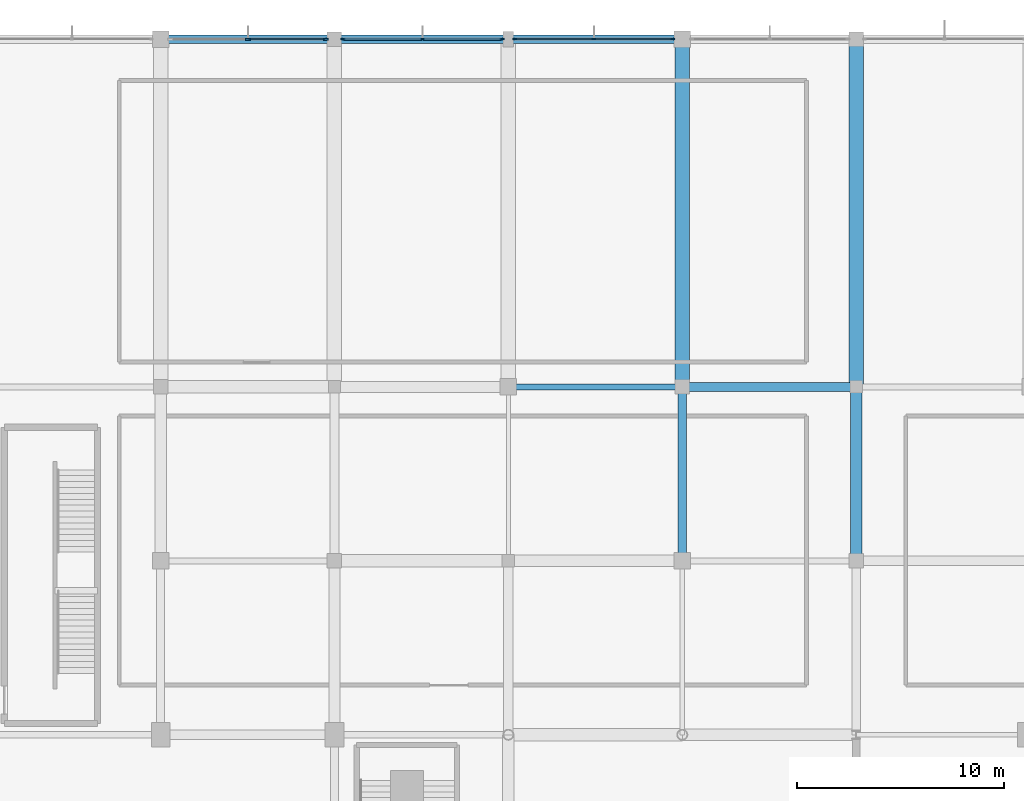
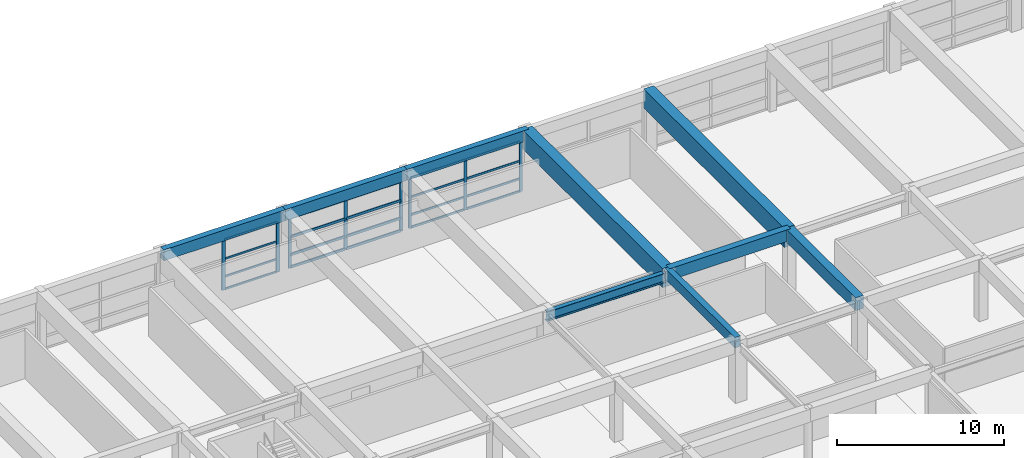
# One storey, part 31 of 65: 28 members, 9 beams, 3 elements without a shape of their own.
"""IFC4 building model written with IfcOpenShell, lengths in metres."""

from ifc_helpers import new_model, si_unit, direction, frame, origin, origin_2d, place, context, subcontext, project, spatial, rectangle, i_section, extrude, material, material_profile, profile_set, type_object, element, aggregate, save


model = new_model("IFC4")

# Units and contexts
model_context = context("Model", 3, precision=1e-05, world=origin(), true_north=direction((0.0, 1.0)))
body_context = subcontext(model_context, "Body", "Model", "MODEL_VIEW")
ifc_project = project(units=[si_unit("LENGTHUNIT", "METRE"), si_unit("AREAUNIT", "SQUARE_METRE"), si_unit("VOLUMEUNIT", "CUBIC_METRE"), si_unit("PLANEANGLEUNIT", "RADIAN"), si_unit("MASSUNIT", "GRAM", prefix="KILO")], contexts=[model_context])

# Site, building, storey
site_placement = place(None, origin())
site = spatial("IfcSite", under=ifc_project, at=site_placement, CompositionType="ELEMENT")
building_placement = place(site_placement, origin())
building = spatial("IfcBuilding", under=site, at=building_placement, Name="Xuanlan Plaza Opera House", CompositionType="ELEMENT")
storey_placement = place(building_placement, frame((0.0, 0.0, 5.39990234375)))
storey = spatial("IfcBuildingStorey", under=building, at=storey_placement, Name="L01", CompositionType="ELEMENT", Elevation=5.39990234375)

# Curtain wall, members
ifc_material_1 = material(Name="Anodised Aluminium 6063-T6 and Low-E Glass", Category="aluminium")
curtain_wall_type_1 = type_object("IfcCurtainWallType", Name="ENV-CW-CW-06", PredefinedType="USERDEFINED", material=ifc_material_1)
curtain_wall_1_placement = place(storey_placement, origin())
curtain_wall_1 = element("IfcCurtainWall", 1, at=curtain_wall_1_placement, inside=storey, type_object=curtain_wall_type_1, Name="Acoustic Glazed Wall L01-035", ObjectType="ACOUSTIC GLAZED WALL", PredefinedType="USERDEFINED")
ifc_material_2 = material(Name="Anodised Aluminium 6063-T6", Category="aluminium")
ifc_material_profile_1 = material_profile(ifc_material_2, rectangle(XDim=0.074951171875, YDim=0.199951171875, at=origin_2d()), Name="ALU-M 75x200")
ifc_profile_set_1 = profile_set([ifc_material_profile_1], Name="Anodised Aluminium 6063-T6")
member_type_1 = type_object("IfcMemberType", Name="ENV-CWM-03", PredefinedType="MULLION", material=ifc_profile_set_1)
member_1_placement = place(storey_placement, frame((117.142578125, 117.60009765625, 0.0), z_axis=(0.0, 0.0, 1.0), x_axis=(0.0, -1.0, 0.0)))
member_1 = element("IfcMember", 2, at=member_1_placement, type_object=member_type_1, Name="CW-06 mullion 1", PredefinedType="MULLION", context=body_context, shape_type="SweptSolid", body=[
    extrude(rectangle(XDim=0.074951171875, YDim=0.199951171875, at=origin_2d()), origin(), (0.0, 0.0, 1.0), 3.68017578125),
])
member_2_placement = place(storey_placement, frame((113.324951171875, 117.60009765625, 0.0), z_axis=(0.0, 0.0, 1.0), x_axis=(0.0, -1.0, 0.0)))
member_2 = element("IfcMember", 3, at=member_2_placement, type_object=member_type_1, Name="CW-06 mullion 2", PredefinedType="MULLION", context=body_context, shape_type="SweptSolid", body=[
    extrude(rectangle(XDim=0.074951171875, YDim=0.199951171875, at=origin_2d()), origin(), (0.0, 0.0, 1.0), 3.68017578125),
])
member_3_placement = place(storey_placement, frame((109.507568359375, 117.60009765625, 0.0), z_axis=(0.0, 0.0, 1.0), x_axis=(0.0, -1.0, 0.0)))
member_3 = element("IfcMember", 4, at=member_3_placement, type_object=member_type_1, Name="CW-06 mullion 3", PredefinedType="MULLION", context=body_context, shape_type="SweptSolid", body=[
    extrude(rectangle(XDim=0.074951171875, YDim=0.199951171875, at=origin_2d()), origin(), (0.0, 0.0, 1.0), 3.68017578125),
])

curtain_wall_type_2 = type_object("IfcCurtainWallType", Name="ENV-CW-CW-05", PredefinedType="USERDEFINED", material=ifc_material_1)
curtain_wall_2_placement = place(storey_placement, origin())
curtain_wall_2 = element("IfcCurtainWall", 5, at=curtain_wall_2_placement, inside=storey, type_object=curtain_wall_type_2, Name="Acoustic Glazed Wall L01-036", ObjectType="ACOUSTIC GLAZED WALL", PredefinedType="USERDEFINED")
ifc_material_profile_2 = material_profile(ifc_material_2, rectangle(XDim=0.080078125, YDim=0.219970703125, at=origin_2d()), Name="ALU-M 80x220")
ifc_profile_set_2 = profile_set([ifc_material_profile_2], Name="Anodised Aluminium 6063-T6")
member_type_2 = type_object("IfcMemberType", Name="ENV-CWM-04", PredefinedType="MULLION", material=ifc_profile_set_2)
member_4_placement = place(storey_placement, frame((108.889892578125, 117.60009765625, 0.0), z_axis=(0.0, 0.0, 1.0), x_axis=(0.0, -1.0, 0.0)))
member_4 = element("IfcMember", 6, at=member_4_placement, type_object=member_type_2, Name="CW-05 mullion 1", PredefinedType="MULLION", context=body_context, shape_type="SweptSolid", body=[
    extrude(rectangle(XDim=0.080078125, YDim=0.219970703125, at=origin_2d()), origin(), (0.0, 0.0, 1.0), 3.68017578125),
])
member_5_placement = place(storey_placement, frame((105.050048828125, 117.60009765625, 0.0), z_axis=(0.0, 0.0, 1.0), x_axis=(0.0, -1.0, 0.0)))
member_5 = element("IfcMember", 7, at=member_5_placement, type_object=member_type_2, Name="CW-05 mullion 2", PredefinedType="MULLION", context=body_context, shape_type="SweptSolid", body=[
    extrude(rectangle(XDim=0.080078125, YDim=0.219970703125, at=origin_2d()), origin(), (0.0, 0.0, 1.0), 3.68017578125),
])
member_6_placement = place(storey_placement, frame((101.2099609375, 117.60009765625, 0.0), z_axis=(0.0, 0.0, 1.0), x_axis=(0.0, -1.0, 0.0)))
member_6 = element("IfcMember", 8, at=member_6_placement, type_object=member_type_2, Name="CW-05 mullion 3", PredefinedType="MULLION", context=body_context, shape_type="SweptSolid", body=[
    extrude(rectangle(XDim=0.080078125, YDim=0.219970703125, at=origin_2d()), origin(), (0.0, 0.0, 1.0), 3.68017578125),
])

curtain_wall_3_placement = place(storey_placement, origin())
curtain_wall_3 = element("IfcCurtainWall", 9, at=curtain_wall_3_placement, inside=storey, type_object=curtain_wall_type_1, Name="Acoustic Glazed Wall L01-037", ObjectType="ACOUSTIC GLAZED WALL", PredefinedType="USERDEFINED")
ifc_material_profile_3 = material_profile(ifc_material_2, rectangle(XDim=0.090087890625, YDim=0.25, at=origin_2d()), Name="ALU-M 90x250")
ifc_profile_set_3 = profile_set([ifc_material_profile_3], Name="Anodised Aluminium 6063-T6")
member_type_3 = type_object("IfcMemberType", Name="ENV-CWM-05", PredefinedType="MULLION", material=ifc_profile_set_3)
member_7_placement = place(storey_placement, frame((100.385009765625, 117.60009765625, 0.0), z_axis=(0.0, 0.0, 1.0), x_axis=(0.0, -1.0, 0.0)))
member_7 = element("IfcMember", 10, at=member_7_placement, type_object=member_type_3, Name="CW-06 mullion 1", PredefinedType="MULLION", context=body_context, shape_type="SweptSolid", body=[
    extrude(rectangle(XDim=0.090087890625, YDim=0.25, at=origin_2d()), origin(), (0.0, 0.0, 1.0), 3.68017578125),
])
member_8_placement = place(storey_placement, frame((96.625, 117.60009765625, 0.0), z_axis=(0.0, 0.0, 1.0), x_axis=(0.0, -1.0, 0.0)))
member_8 = element("IfcMember", 11, at=member_8_placement, type_object=member_type_3, Name="CW-06 mullion 2", PredefinedType="MULLION", context=body_context, shape_type="SweptSolid", body=[
    extrude(rectangle(XDim=0.090087890625, YDim=0.25, at=origin_2d()), origin(), (0.0, 0.0, 1.0), 3.68017578125),
])
ifc_material_profile_4 = material_profile(ifc_material_2, rectangle(XDim=0.070068359375, YDim=0.135009765625, at=origin_2d()), Name="ALU-T 70x135")
ifc_profile_set_4 = profile_set([ifc_material_profile_4], Name="Anodised Aluminium 6063-T6")
member_type_4 = type_object("IfcMemberType", Name="ENV-CWT-02", PredefinedType="USERDEFINED", material=ifc_profile_set_4)
member_9_placement = place(storey_placement, frame((100.340087890625, 117.60009765625, 0.03515625), z_axis=(-1.0, 0.0, 0.0), x_axis=(0.0, -1.0, 0.0)))
member_9 = element("IfcMember", 12, at=member_9_placement, type_object=member_type_4, Name="CW-06 transom 1.1", ObjectType="TRANSOM", PredefinedType="USERDEFINED", context=body_context, shape_type="SweptSolid", body=[
    extrude(rectangle(XDim=0.070068359375, YDim=0.135009765625, at=origin_2d()), origin(), (0.0, 0.0, 1.0), 3.670166015625),
])
member_10_placement = place(storey_placement, frame((100.340087890625, 117.60009765625, 0.9501953125), z_axis=(-1.0, 0.0, 0.0), x_axis=(0.0, -1.0, 0.0)))
member_10 = element("IfcMember", 13, at=member_10_placement, type_object=member_type_4, Name="CW-06 transom 1.2", ObjectType="TRANSOM", PredefinedType="USERDEFINED", context=body_context, shape_type="SweptSolid", body=[
    extrude(rectangle(XDim=0.070068359375, YDim=0.135009765625, at=origin_2d()), origin(), (0.0, 0.0, 1.0), 3.670166015625),
])
member_11_placement = place(storey_placement, frame((100.340087890625, 117.60009765625, 2.25), z_axis=(-1.0, 0.0, 0.0), x_axis=(0.0, -1.0, 0.0)))
member_11 = element("IfcMember", 14, at=member_11_placement, type_object=member_type_4, Name="CW-06 transom 1.3", ObjectType="TRANSOM", PredefinedType="USERDEFINED", context=body_context, shape_type="SweptSolid", body=[
    extrude(rectangle(XDim=0.070068359375, YDim=0.135009765625, at=origin_2d()), origin(), (0.0, 0.0, 1.0), 3.670166015625),
])
member_12_placement = place(storey_placement, frame((100.340087890625, 117.60009765625, 3.64501953125), z_axis=(-1.0, 0.0, 0.0), x_axis=(0.0, -1.0, 0.0)))
member_12 = element("IfcMember", 15, at=member_12_placement, type_object=member_type_4, Name="CW-06 transom 1.4", ObjectType="TRANSOM", PredefinedType="USERDEFINED", context=body_context, shape_type="SweptSolid", body=[
    extrude(rectangle(XDim=0.070068359375, YDim=0.135009765625, at=origin_2d()), origin(), (0.0, 0.0, 1.0), 3.670166015625),
])
aggregate(curtain_wall_3, [member_7, member_8, member_9, member_10, member_11, member_12])

# Member
ifc_material_profile_5 = material_profile(ifc_material_2, rectangle(XDim=0.074951171875, YDim=0.14990234375, at=origin_2d()), Name="ALU-T 75x150")
ifc_profile_set_5 = profile_set([ifc_material_profile_5], Name="Anodised Aluminium 6063-T6")
member_type_5 = type_object("IfcMemberType", Name="ENV-CWT-03", PredefinedType="USERDEFINED", material=ifc_profile_set_5)
member_13_placement = place(storey_placement, frame((117.10498046875, 117.60009765625, 0.03759765625), z_axis=(-1.0, 0.0, 0.0), x_axis=(0.0, -1.0, 0.0)))
member_13 = element("IfcMember", 16, at=member_13_placement, type_object=member_type_5, Name="CW-06 transom 1.1", ObjectType="TRANSOM", PredefinedType="USERDEFINED", context=body_context, shape_type="SweptSolid", body=[
    extrude(rectangle(XDim=0.074951171875, YDim=0.14990234375, at=origin_2d()), origin(), (0.0, 0.0, 1.0), 3.742431640625),
])

member_14_placement = place(storey_placement, frame((117.10498046875, 117.60009765625, 0.9501953125), z_axis=(-1.0, 0.0, 0.0), x_axis=(0.0, -1.0, 0.0)))
member_14 = element("IfcMember", 17, at=member_14_placement, type_object=member_type_5, Name="CW-06 transom 1.2", ObjectType="TRANSOM", PredefinedType="USERDEFINED", context=body_context, shape_type="SweptSolid", body=[
    extrude(rectangle(XDim=0.074951171875, YDim=0.14990234375, at=origin_2d()), origin(), (0.0, 0.0, 1.0), 3.742431640625),
])

member_15_placement = place(storey_placement, frame((117.10498046875, 117.60009765625, 2.25), z_axis=(-1.0, 0.0, 0.0), x_axis=(0.0, -1.0, 0.0)))
member_15 = element("IfcMember", 18, at=member_15_placement, type_object=member_type_5, Name="CW-06 transom 1.3", ObjectType="TRANSOM", PredefinedType="USERDEFINED", context=body_context, shape_type="SweptSolid", body=[
    extrude(rectangle(XDim=0.074951171875, YDim=0.14990234375, at=origin_2d()), origin(), (0.0, 0.0, 1.0), 3.742431640625),
])

member_16_placement = place(storey_placement, frame((117.10498046875, 117.60009765625, 3.642578125), z_axis=(-1.0, 0.0, 0.0), x_axis=(0.0, -1.0, 0.0)))
member_16 = element("IfcMember", 19, at=member_16_placement, type_object=member_type_5, Name="CW-06 transom 1.4", ObjectType="TRANSOM", PredefinedType="USERDEFINED", context=body_context, shape_type="SweptSolid", body=[
    extrude(rectangle(XDim=0.074951171875, YDim=0.14990234375, at=origin_2d()), origin(), (0.0, 0.0, 1.0), 3.742431640625),
])

member_17_placement = place(storey_placement, frame((113.28759765625, 117.60009765625, 0.03759765625), z_axis=(-1.0, 0.0, 0.0), x_axis=(0.0, -1.0, 0.0)))
member_17 = element("IfcMember", 20, at=member_17_placement, type_object=member_type_5, Name="CW-06 transom 2.1", ObjectType="TRANSOM", PredefinedType="USERDEFINED", context=body_context, shape_type="SweptSolid", body=[
    extrude(rectangle(XDim=0.074951171875, YDim=0.14990234375, at=origin_2d()), origin(), (0.0, 0.0, 1.0), 3.74267578125),
])

member_18_placement = place(storey_placement, frame((113.28759765625, 117.60009765625, 0.9501953125), z_axis=(-1.0, 0.0, 0.0), x_axis=(0.0, -1.0, 0.0)))
member_18 = element("IfcMember", 21, at=member_18_placement, type_object=member_type_5, Name="CW-06 transom 2.2", ObjectType="TRANSOM", PredefinedType="USERDEFINED", context=body_context, shape_type="SweptSolid", body=[
    extrude(rectangle(XDim=0.074951171875, YDim=0.14990234375, at=origin_2d()), origin(), (0.0, 0.0, 1.0), 3.74267578125),
])

member_19_placement = place(storey_placement, frame((113.28759765625, 117.60009765625, 2.25), z_axis=(-1.0, 0.0, 0.0), x_axis=(0.0, -1.0, 0.0)))
member_19 = element("IfcMember", 22, at=member_19_placement, type_object=member_type_5, Name="CW-06 transom 2.3", ObjectType="TRANSOM", PredefinedType="USERDEFINED", context=body_context, shape_type="SweptSolid", body=[
    extrude(rectangle(XDim=0.074951171875, YDim=0.14990234375, at=origin_2d()), origin(), (0.0, 0.0, 1.0), 3.74267578125),
])

member_20_placement = place(storey_placement, frame((113.28759765625, 117.60009765625, 3.642578125), z_axis=(-1.0, 0.0, 0.0), x_axis=(0.0, -1.0, 0.0)))
member_20 = element("IfcMember", 23, at=member_20_placement, type_object=member_type_5, Name="CW-06 transom 2.4", ObjectType="TRANSOM", PredefinedType="USERDEFINED", context=body_context, shape_type="SweptSolid", body=[
    extrude(rectangle(XDim=0.074951171875, YDim=0.14990234375, at=origin_2d()), origin(), (0.0, 0.0, 1.0), 3.74267578125),
])

aggregate(curtain_wall_1, [member_1, member_2, member_3, member_13, member_14, member_15, member_16, member_17, member_18, member_19, member_20])

ifc_material_profile_6 = material_profile(ifc_material_2, rectangle(XDim=0.090087890625, YDim=0.179931640625, at=origin_2d()), Name="ALU-T 90x180")
ifc_profile_set_6 = profile_set([ifc_material_profile_6], Name="Anodised Aluminium 6063-T6")
member_type_6 = type_object("IfcMemberType", Name="ENV-CWT-05", PredefinedType="USERDEFINED", material=ifc_profile_set_6)
member_21_placement = place(storey_placement, frame((108.85009765625, 117.60009765625, 0.045166015625), z_axis=(-1.0, 0.0, 0.0), x_axis=(0.0, -1.0, 0.0)))
member_21 = element("IfcMember", 24, at=member_21_placement, type_object=member_type_6, Name="CW-05 transom 1.1", ObjectType="TRANSOM", PredefinedType="USERDEFINED", context=body_context, shape_type="SweptSolid", body=[
    extrude(rectangle(XDim=0.090087890625, YDim=0.179931640625, at=origin_2d()), origin(), (0.0, 0.0, 1.0), 3.760009765625),
])

member_22_placement = place(storey_placement, frame((108.85009765625, 117.60009765625, 0.9501953125), z_axis=(-1.0, 0.0, 0.0), x_axis=(0.0, -1.0, 0.0)))
member_22 = element("IfcMember", 25, at=member_22_placement, type_object=member_type_6, Name="CW-05 transom 1.2", ObjectType="TRANSOM", PredefinedType="USERDEFINED", context=body_context, shape_type="SweptSolid", body=[
    extrude(rectangle(XDim=0.090087890625, YDim=0.179931640625, at=origin_2d()), origin(), (0.0, 0.0, 1.0), 3.760009765625),
])

member_23_placement = place(storey_placement, frame((108.85009765625, 117.60009765625, 2.25), z_axis=(-1.0, 0.0, 0.0), x_axis=(0.0, -1.0, 0.0)))
member_23 = element("IfcMember", 26, at=member_23_placement, type_object=member_type_6, Name="CW-05 transom 1.3", ObjectType="TRANSOM", PredefinedType="USERDEFINED", context=body_context, shape_type="SweptSolid", body=[
    extrude(rectangle(XDim=0.090087890625, YDim=0.179931640625, at=origin_2d()), origin(), (0.0, 0.0, 1.0), 3.760009765625),
])

member_24_placement = place(storey_placement, frame((108.85009765625, 117.60009765625, 3.635009765625), z_axis=(-1.0, 0.0, 0.0), x_axis=(0.0, -1.0, 0.0)))
member_24 = element("IfcMember", 27, at=member_24_placement, type_object=member_type_6, Name="CW-05 transom 1.4", ObjectType="TRANSOM", PredefinedType="USERDEFINED", context=body_context, shape_type="SweptSolid", body=[
    extrude(rectangle(XDim=0.090087890625, YDim=0.179931640625, at=origin_2d()), origin(), (0.0, 0.0, 1.0), 3.760009765625),
])

member_25_placement = place(storey_placement, frame((105.010009765625, 117.60009765625, 0.045166015625), z_axis=(-1.0, 0.0, 0.0), x_axis=(0.0, -1.0, 0.0)))
member_25 = element("IfcMember", 28, at=member_25_placement, type_object=member_type_6, Name="CW-05 transom 2.1", ObjectType="TRANSOM", PredefinedType="USERDEFINED", context=body_context, shape_type="SweptSolid", body=[
    extrude(rectangle(XDim=0.090087890625, YDim=0.179931640625, at=origin_2d()), origin(), (0.0, 0.0, 1.0), 3.760009765625),
])

member_26_placement = place(storey_placement, frame((105.010009765625, 117.60009765625, 0.9501953125), z_axis=(-1.0, 0.0, 0.0), x_axis=(0.0, -1.0, 0.0)))
member_26 = element("IfcMember", 29, at=member_26_placement, type_object=member_type_6, Name="CW-05 transom 2.2", ObjectType="TRANSOM", PredefinedType="USERDEFINED", context=body_context, shape_type="SweptSolid", body=[
    extrude(rectangle(XDim=0.090087890625, YDim=0.179931640625, at=origin_2d()), origin(), (0.0, 0.0, 1.0), 3.760009765625),
])

member_27_placement = place(storey_placement, frame((105.010009765625, 117.60009765625, 2.25), z_axis=(-1.0, 0.0, 0.0), x_axis=(0.0, -1.0, 0.0)))
member_27 = element("IfcMember", 30, at=member_27_placement, type_object=member_type_6, Name="CW-05 transom 2.3", ObjectType="TRANSOM", PredefinedType="USERDEFINED", context=body_context, shape_type="SweptSolid", body=[
    extrude(rectangle(XDim=0.090087890625, YDim=0.179931640625, at=origin_2d()), origin(), (0.0, 0.0, 1.0), 3.760009765625),
])

member_28_placement = place(storey_placement, frame((105.010009765625, 117.60009765625, 3.635009765625), z_axis=(-1.0, 0.0, 0.0), x_axis=(0.0, -1.0, 0.0)))
member_28 = element("IfcMember", 31, at=member_28_placement, type_object=member_type_6, Name="CW-05 transom 2.4", ObjectType="TRANSOM", PredefinedType="USERDEFINED", context=body_context, shape_type="SweptSolid", body=[
    extrude(rectangle(XDim=0.090087890625, YDim=0.179931640625, at=origin_2d()), origin(), (0.0, 0.0, 1.0), 3.760009765625),
])

aggregate(curtain_wall_2, [member_4, member_5, member_6, member_21, member_22, member_23, member_24, member_25, member_26, member_27, member_28])

# Beams
ifc_material_3 = material(Name="Concrete C50", Category="concrete")
ifc_material_profile_7 = material_profile(ifc_material_3, rectangle(XDim=0.550048828125, YDim=0.949951171875, at=origin_2d()), Name="RC-BM 550x950")
ifc_profile_set_7 = profile_set([ifc_material_profile_7], Name="Concrete C50")
beam_type_1 = type_object("IfcBeamType", Name="STR-BM-B-02", PredefinedType="BEAM", material=ifc_profile_set_7)
beam_1_placement = place(storey_placement, frame((126.0, 92.39990234375, 4.025146484375), z_axis=(0.0, 1.0, 0.0), x_axis=(-1.0, 0.0, 0.0)))
element("IfcBeam", 32, at=beam_1_placement, inside=storey, type_object=beam_type_1, Name="Grid Beam Y L01 16/L-M", PredefinedType="BEAM", context=body_context, shape_type="SweptSolid", body=[
    extrude(rectangle(XDim=0.550048828125, YDim=0.949951171875, at=origin_2d()), origin(), (0.0, 0.0, 1.0), 8.400146484375),
])
ifc_material_4 = material(Name="Concrete C40", Category="concrete")
ifc_material_profile_8 = material_profile(ifc_material_4, rectangle(XDim=0.449951171875, YDim=0.85009765625, at=origin_2d()), Name="RC-BM 450x850")
ifc_profile_set_8 = profile_set([ifc_material_profile_8], Name="Concrete C40")
beam_type_2 = type_object("IfcBeamType", Name="STR-BM-B-04", PredefinedType="BEAM", material=ifc_profile_set_8)
beam_2_placement = place(storey_placement, frame((117.60009765625, 100.800048828125, 4.0751953125), z_axis=(1.0, 0.0, 0.0), x_axis=(0.0, 1.0, 0.0)))
element("IfcBeam", 33, at=beam_2_placement, inside=storey, type_object=beam_type_2, Name="Grid Beam X L01 15-16/M", PredefinedType="BEAM", context=body_context, shape_type="SweptSolid", body=[
    extrude(rectangle(XDim=0.449951171875, YDim=0.85009765625, at=origin_2d()), origin(), (0.0, 0.0, 1.0), 8.39990234375),
])
ifc_material_profile_9 = material_profile(ifc_material_4, rectangle(XDim=0.39990234375, YDim=0.75, at=origin_2d()), Name="RC-BM 400x750")
ifc_profile_set_9 = profile_set([ifc_material_profile_9], Name="Concrete C40")
beam_type_3 = type_object("IfcBeamType", Name="STR-BM-B-06", PredefinedType="BEAM", material=ifc_profile_set_9)
beam_3_placement = place(storey_placement, frame((117.60009765625, 92.39990234375, 4.125), z_axis=(0.0, 1.0, 0.0), x_axis=(-1.0, 0.0, 0.0)))
element("IfcBeam", 34, at=beam_3_placement, inside=storey, type_object=beam_type_3, Name="Grid Beam Y L01 15/L-M", PredefinedType="BEAM", context=body_context, shape_type="SweptSolid", body=[
    extrude(rectangle(XDim=0.39990234375, YDim=0.75, at=origin_2d()), origin(), (0.0, 0.0, 1.0), 8.400146484375),
])
ifc_material_profile_10 = material_profile(ifc_material_3, rectangle(XDim=0.699951171875, YDim=1.39990234375, at=origin_2d()), Name="RC-LG 700x1400")
ifc_profile_set_10 = profile_set([ifc_material_profile_10], Name="Concrete C50")
beam_type_4 = type_object("IfcBeamType", Name="STR-BM-LG-01", PredefinedType="BEAM", material=ifc_profile_set_10)
for number, where, z_axis, x_axis, name in (
    (35, (117.60009765625, 100.800048828125, 3.800048828125), (0.0, 1.0, 0.0), (-1.0, 0.0, 0.0), "Grid Beam Y L01 15/M-O"),
    (36, (126.0, 100.800048828125, 3.800048828125), (0.0, 1.0, 0.0), (-1.0, 0.0, 0.0), "Grid Beam Y L01 16/M-O"),
):
    element("IfcBeam", number, at=place(storey_placement, frame(where, z_axis=z_axis, x_axis=x_axis)), inside=storey, type_object=beam_type_4, Name=name, PredefinedType="BEAM", context=body_context, shape_type="SweptSolid", body=[
        extrude(rectangle(XDim=0.699951171875, YDim=1.39990234375, at=origin_2d()), origin(), (0.0, 0.0, 1.0), 16.800048828125),
    ])
ifc_material_5 = material(Name="Steel Q355B", Category="steel")
ifc_material_profile_11 = material_profile(ifc_material_5, i_section(OverallWidth=0.300048828125, OverallDepth=0.699951171875, WebThickness=0.012939453125, FlangeThickness=0.02392578125, FilletRadius=0.02392578125, at=origin_2d()), Name="HN 700x300x13x24")
ifc_profile_set_11 = profile_set([ifc_material_profile_11], Name="Steel Q355B")
beam_type_5 = type_object("IfcBeamType", Name="STR-BM-SB-03", PredefinedType="BEAM", material=ifc_profile_set_11)
beam_4_placement = place(storey_placement, frame((109.199951171875, 100.800048828125, 3.885009765625), z_axis=(1.0, 0.0, 0.0), x_axis=(0.0, 1.0, 0.0)))
element("IfcBeam", 37, at=beam_4_placement, inside=storey, type_object=beam_type_5, Name="Grid Beam X L01 14-15/M", PredefinedType="BEAM", context=body_context, shape_type="SweptSolid", body=[
    extrude(i_section(OverallWidth=0.300048828125, OverallDepth=0.699951171875, WebThickness=0.012939453125, FlangeThickness=0.02392578125, FilletRadius=0.02392578125, at=origin_2d()), origin(), (0.0, 0.0, 1.0), 8.400146484375),
])
ifc_material_profile_12 = material_profile(ifc_material_4, rectangle(XDim=0.39990234375, YDim=0.800048828125, at=origin_2d()), Name="RC-SPD 400x800")
ifc_profile_set_12 = profile_set([ifc_material_profile_12], Name="Concrete C40")
beam_type_6 = type_object("IfcBeamType", Name="STR-BM-SP-01", PredefinedType="SPANDREL", material=ifc_profile_set_12)
beam_5_placement = place(storey_placement, frame((92.39990234375, 117.60009765625, 4.10009765625), z_axis=(1.0, 0.0, 0.0), x_axis=(0.0, 1.0, 0.0)))
element("IfcBeam", 38, at=beam_5_placement, inside=storey, type_object=beam_type_6, Name="Grid Beam X L01 12-13/O", PredefinedType="SPANDREL", context=body_context, shape_type="SweptSolid", body=[
    extrude(rectangle(XDim=0.39990234375, YDim=0.800048828125, at=origin_2d()), origin(), (0.0, 0.0, 1.0), 8.400146484375),
])
beam_6_placement = place(storey_placement, frame((100.800048828125, 117.60009765625, 4.10009765625), z_axis=(1.0, 0.0, 0.0), x_axis=(0.0, 1.0, 0.0)))
element("IfcBeam", 39, at=beam_6_placement, inside=storey, type_object=beam_type_6, Name="Grid Beam X L01 13-14/O", PredefinedType="SPANDREL", context=body_context, shape_type="SweptSolid", body=[
    extrude(rectangle(XDim=0.39990234375, YDim=0.800048828125, at=origin_2d()), origin(), (0.0, 0.0, 1.0), 8.39990234375),
])
beam_7_placement = place(storey_placement, frame((109.199951171875, 117.60009765625, 4.10009765625), z_axis=(1.0, 0.0, 0.0), x_axis=(0.0, 1.0, 0.0)))
element("IfcBeam", 40, at=beam_7_placement, inside=storey, type_object=beam_type_6, Name="Grid Beam X L01 14-15/O", PredefinedType="SPANDREL", context=body_context, shape_type="SweptSolid", body=[
    extrude(rectangle(XDim=0.39990234375, YDim=0.800048828125, at=origin_2d()), origin(), (0.0, 0.0, 1.0), 8.400146484375),
])

save(model, "model.ifc")
